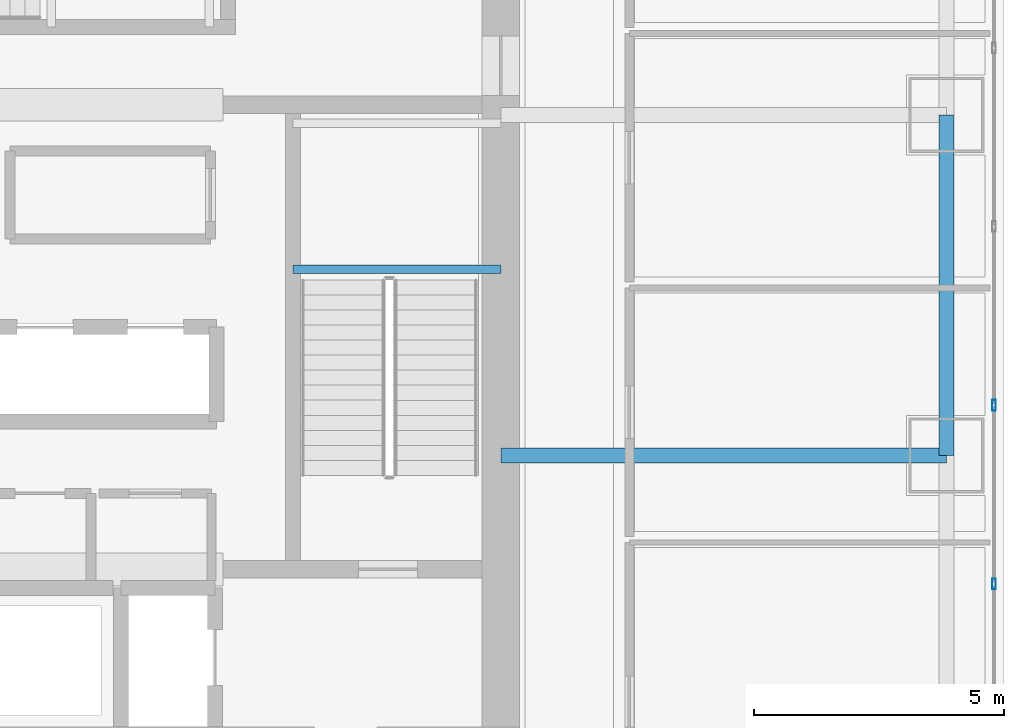
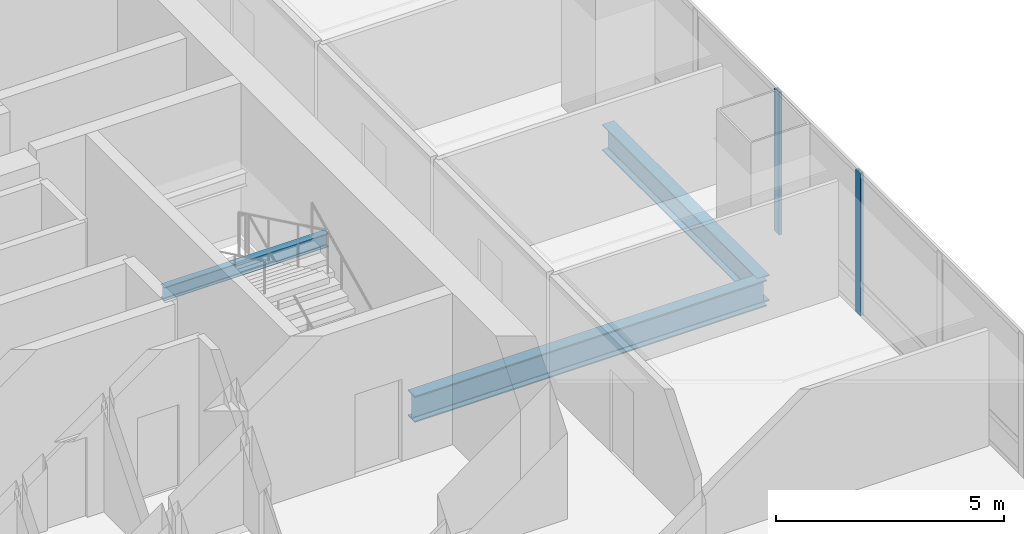
# One storey, part 14 of 37: 3 beams, 2 members, 1 element without a shape of its own.
"""IFC4 building model written with IfcOpenShell, lengths in metres."""

from ifc_helpers import new_model, si_unit, direction, frame, origin, origin_2d, place, context, subcontext, project, spatial, hollow_rectangle, i_section, extrude, material, material_profile, profile_set, type_object, element, aggregate, save


model = new_model("IFC4")

# Units and contexts
model_context = context("Model", 3, precision=1e-05, world=origin(), true_north=direction((0.0, 1.0)))
body_context = subcontext(model_context, "Body", "Model", "MODEL_VIEW")
ifc_project = project(units=[si_unit("LENGTHUNIT", "METRE"), si_unit("AREAUNIT", "SQUARE_METRE"), si_unit("VOLUMEUNIT", "CUBIC_METRE"), si_unit("PLANEANGLEUNIT", "RADIAN"), si_unit("MASSUNIT", "GRAM", prefix="KILO")], contexts=[model_context])

# Site, building, storey
site_placement = place(None, origin())
site = spatial("IfcSite", under=ifc_project, at=site_placement, CompositionType="ELEMENT")
building_placement = place(site_placement, origin())
building = spatial("IfcBuilding", under=site, at=building_placement, Name="Punatoya Terracotta Tower", CompositionType="ELEMENT")
storey_placement = place(building_placement, frame((0.0, 0.0, 44.39990234375)))
storey = spatial("IfcBuildingStorey", under=building, at=storey_placement, Name="L09", CompositionType="ELEMENT", Elevation=44.39990234375)

# Beams
ifc_material_1 = material(Name="Steel S355", Category="steel")
ifc_material_profile_1 = material_profile(ifc_material_1, i_section(OverallWidth=0.300048828125, OverallDepth=0.699951171875, WebThickness=0.01708984375, FlangeThickness=0.031982421875, FilletRadius=0.01806640625, at=origin_2d()))
ifc_profile_set_1 = profile_set([ifc_material_profile_1], Name="Steel S355")
beam_type_1 = type_object("IfcBeamType", Name="BM-PRI-700", PredefinedType="BEAM", material=ifc_profile_set_1)
beam_1_placement = place(storey_placement, frame((19.10009765625, -3.39990234375, -0.58984375), z_axis=(0.0, 1.0, 0.0), x_axis=(-1.0, 0.0, 0.0)))
element("IfcBeam", 1, at=beam_1_placement, inside=storey, type_object=beam_type_1, Name="BM-L09-RG-E2", PredefinedType="BEAM", context=body_context, shape_type="SweptSolid", body=[
    extrude(i_section(OverallWidth=0.300048828125, OverallDepth=0.699951171875, WebThickness=0.01708984375, FlangeThickness=0.031982421875, FilletRadius=0.01806640625, at=origin_2d()), origin(), (0.0, 0.0, 1.0), 6.7998046875),
])
beam_2_placement = place(storey_placement, frame((10.199951171875, -3.39990234375, -0.58984375), z_axis=(1.0, 0.0, 0.0), x_axis=(0.0, 1.0, 0.0)))
element("IfcBeam", 2, at=beam_2_placement, inside=storey, type_object=beam_type_1, Name="BM-L09-PR-ED", PredefinedType="BEAM", context=body_context, shape_type="SweptSolid", body=[
    extrude(i_section(OverallWidth=0.300048828125, OverallDepth=0.699951171875, WebThickness=0.01708984375, FlangeThickness=0.031982421875, FilletRadius=0.01806640625, at=origin_2d()), origin(), (0.0, 0.0, 1.0), 8.900146484375),
])
ifc_material_profile_2 = material_profile(ifc_material_1, i_section(OverallWidth=0.169921875, OverallDepth=0.360107421875, WebThickness=0.008056640625, FlangeThickness=0.0126953125, FilletRadius=0.01806640625, at=origin_2d()))
ifc_profile_set_2 = profile_set([ifc_material_profile_2], Name="Steel S355")
beam_type_2 = type_object("IfcBeamType", Name="BM-SEC-360", PredefinedType="JOIST", material=ifc_profile_set_2)
beam_3_placement = place(storey_placement, frame((6.050048828125, 0.320068359375, 1.64501953125), z_axis=(1.0, 0.0, 0.0), x_axis=(0.0, 1.0, 0.0)))
element("IfcBeam", 3, at=beam_3_placement, inside=storey, type_object=beam_type_2, Name="BM-L09-ST-2-LD1A", PredefinedType="JOIST", context=body_context, shape_type="SweptSolid", body=[
    extrude(i_section(OverallWidth=0.169921875, OverallDepth=0.360107421875, WebThickness=0.008056640625, FlangeThickness=0.0126953125, FilletRadius=0.01806640625, at=origin_2d()), origin(), (0.0, 0.0, 1.0), 4.14990234375),
])

# Curtain wall, members
ifc_material_2 = material(Name="Aluminium 6063-T6 + Double Low-E Glass", Category="aluminium")
curtain_wall_type = type_object("IfcCurtainWallType", Name="CW-M1", PredefinedType="NOTDEFINED", material=ifc_material_2)
curtain_wall_placement = place(storey_placement, origin())
curtain_wall = element("IfcCurtainWall", 4, at=curtain_wall_placement, inside=storey, type_object=curtain_wall_type, Name="L09 Curtain Wall CW-L09-E05-1", PredefinedType="NOTDEFINED")
ifc_material_3 = material(Name="Aluminium 6063-T6", Category="aluminium")
ifc_material_profile_3 = material_profile(ifc_material_3, hollow_rectangle(XDim=0.074951171875, YDim=0.2099609375, WallThickness=0.00439453125, at=origin_2d()))
ifc_profile_set_3 = profile_set([ifc_material_profile_3], Name="Aluminium 6063-T6")
member_type = type_object("IfcMemberType", Name="CW-MUL-M1", PredefinedType="MULLION", material=ifc_profile_set_3)
member_1_placement = place(storey_placement, frame((20.050048828125, -5.96728515625, 0.0), z_axis=(0.0, 0.0, 1.0), x_axis=(1.0, 0.0, 0.0)))
member_1 = element("IfcMember", 5, at=member_1_placement, type_object=member_type, Name="CW-L09-E05-1 Mullion 04", PredefinedType="MULLION", context=body_context, shape_type="SweptSolid", body=[
    extrude(hollow_rectangle(XDim=0.074951171875, YDim=0.2099609375, WallThickness=0.00439453125, at=origin_2d()), origin(), (0.0, 0.0, 1.0), 3.81005859375),
])
member_2_placement = place(storey_placement, frame((20.050048828125, -2.39990234375, 0.0), z_axis=(0.0, 0.0, 1.0), x_axis=(1.0, 0.0, 0.0)))
member_2 = element("IfcMember", 6, at=member_2_placement, type_object=member_type, Name="CW-L09-E05-1 Mullion 05", PredefinedType="MULLION", context=body_context, shape_type="SweptSolid", body=[
    extrude(hollow_rectangle(XDim=0.074951171875, YDim=0.2099609375, WallThickness=0.00439453125, at=origin_2d()), origin(), (0.0, 0.0, 1.0), 3.81005859375),
])
aggregate(curtain_wall, [member_1, member_2])

save(model, "model.ifc")
